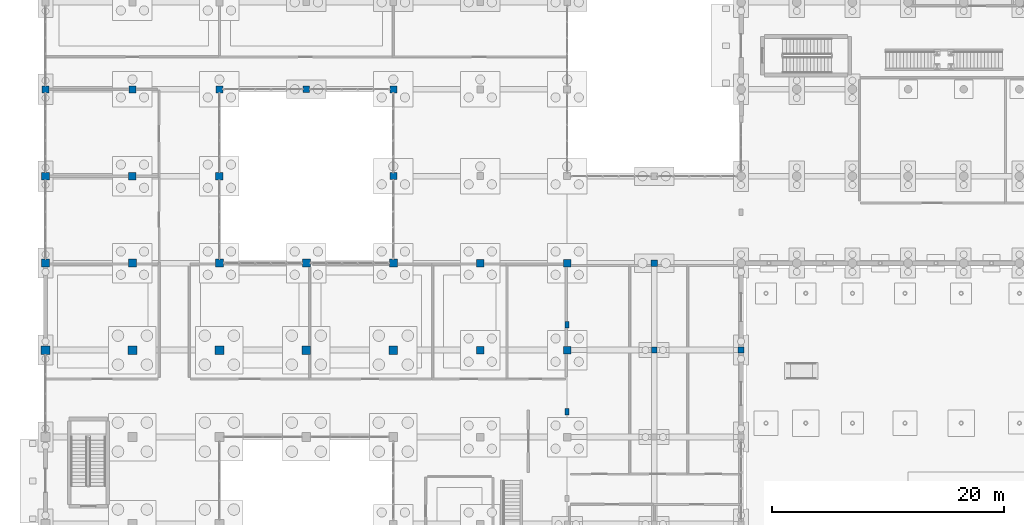
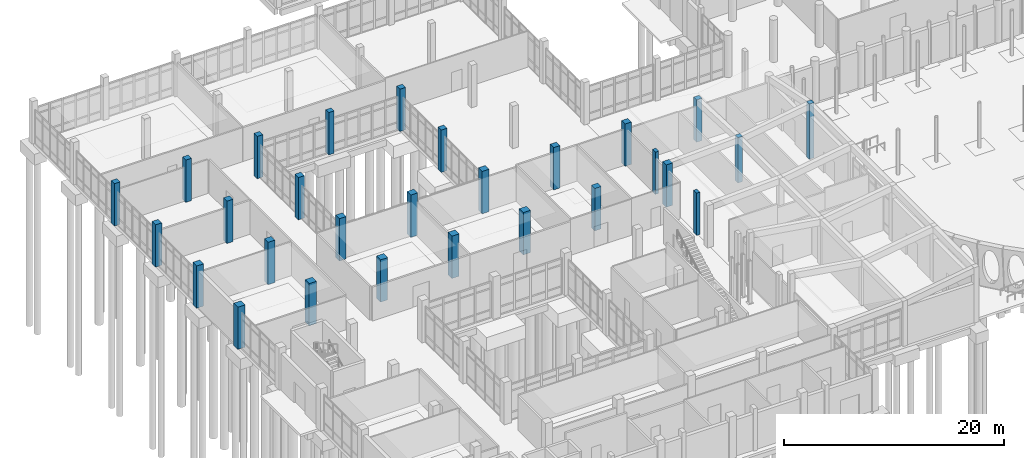
# One storey, part 9 of 173: 28 columns.
"""IFC4 building model written with IfcOpenShell, lengths in metres."""

from ifc_helpers import new_model, si_unit, direction, frame, origin, origin_2d, place, context, subcontext, project, spatial, rectangle, extrude, material, material_profile, profile_set, type_object, element, save


model = new_model("IFC4")

# Units and contexts
model_context = context("Model", 3, precision=1e-05, world=origin(), true_north=direction((0.0, 1.0)))
body_context = subcontext(model_context, "Body", "Model", "MODEL_VIEW")
ifc_project = project(units=[si_unit("LENGTHUNIT", "METRE"), si_unit("AREAUNIT", "SQUARE_METRE"), si_unit("VOLUMEUNIT", "CUBIC_METRE"), si_unit("PLANEANGLEUNIT", "RADIAN"), si_unit("MASSUNIT", "GRAM", prefix="KILO")], contexts=[model_context])

# Site, building, storey
site_placement = place(None, origin())
site = spatial("IfcSite", under=ifc_project, at=site_placement, CompositionType="ELEMENT")
building_placement = place(site_placement, origin())
building = spatial("IfcBuilding", under=site, at=building_placement, Name="Mawjan Specialist Oncology Clinic", CompositionType="ELEMENT")
storey_placement = place(building_placement, origin())
storey = spatial("IfcBuildingStorey", under=building, at=storey_placement, Name="L00", CompositionType="ELEMENT", Elevation=0.0)

# Columns
ifc_material_1 = material(Name="Concrete C45/55", Category="concrete")
ifc_material_profile_1 = material_profile(ifc_material_1, rectangle(XDim=0.5, YDim=0.5, at=origin_2d()), Name="RC COL 500x500", Category="concrete")
ifc_profile_set_1 = profile_set([ifc_material_profile_1], Name="Concrete C45/55")
column_type_1 = type_object("IfcColumnType", Name="C-500", PredefinedType="COLUMN", material=ifc_profile_set_1)
column_1_placement = place(storey_placement, frame((52.5, 38.300048828125, 0.0), z_axis=(0.0, 0.0, 1.0), x_axis=(1.0, 0.0, 0.0)))
element("IfcColumn", 1, at=column_1_placement, inside=storey, type_object=column_type_1, Name="L00 Column G-8-F", PredefinedType="COLUMN", context=body_context, shape_type="SweptSolid", body=[
    extrude(rectangle(XDim=0.5, YDim=0.5, at=origin_2d()), origin(), (0.0, 0.0, 1.0), 5.035888671875),
])
column_2_placement = place(storey_placement, frame((60.0, 38.300048828125, 0.0), z_axis=(0.0, 0.0, 1.0), x_axis=(1.0, 0.0, 0.0)))
element("IfcColumn", 2, at=column_2_placement, inside=storey, type_object=column_type_1, Name="L00 Column G-9-F", PredefinedType="COLUMN", context=body_context, shape_type="SweptSolid", body=[
    extrude(rectangle(XDim=0.5, YDim=0.5, at=origin_2d()), origin(), (0.0, 0.0, 1.0), 6.1376953125),
])
ifc_material_2 = material(Name="Concrete C45/55", Category="concrete")
ifc_material_profile_2 = material_profile(ifc_material_2, rectangle(XDim=0.550048828125, YDim=0.550048828125, at=origin_2d()), Name="RC COL 550x550", Category="concrete")
ifc_profile_set_2 = profile_set([ifc_material_profile_2], Name="Concrete C45/55")
column_type_2 = type_object("IfcColumnType", Name="C-550", PredefinedType="COLUMN", material=ifc_profile_set_2)
for number, where, z_axis, x_axis, name in (
    (3, (22.5, 60.800048828125, 0.0), (0.0, 0.0, 1.0), (1.0, 0.0, 0.0), "L00 Column G-4-J"),
    (4, (52.5, 45.800048828125, 0.0), (0.0, 0.0, 1.0), (1.0, 0.0, 0.0), "L00 Column G-8-G"),
):
    element("IfcColumn", number, at=place(storey_placement, frame(where, z_axis=z_axis, x_axis=x_axis)), inside=storey, type_object=column_type_2, Name=name, PredefinedType="COLUMN", context=body_context, shape_type="SweptSolid", body=[
        extrude(rectangle(XDim=0.550048828125, YDim=0.550048828125, at=origin_2d()), origin(), (0.0, 0.0, 1.0), 4.699951171875),
    ])
ifc_material_3 = material(Name="Concrete C45/55", Category="concrete")
ifc_material_profile_3 = material_profile(ifc_material_3, rectangle(XDim=0.60009765625, YDim=0.60009765625, at=origin_2d()), Name="RC COL 600x600", Category="concrete")
ifc_profile_set_3 = profile_set([ifc_material_profile_3], Name="Concrete C45/55")
column_type_3 = type_object("IfcColumnType", Name="C-600", PredefinedType="COLUMN", material=ifc_profile_set_3)
for number, where, z_axis, x_axis, name in (
    (5, (0.0, 60.800048828125, 0.0), (0.0, 0.0, 1.0), (1.0, 0.0, 0.0), "L00 Column G-1-J"),
    (6, (7.5, 60.800048828125, 0.0), (0.0, 0.0, 1.0), (1.0, 0.0, 0.0), "L00 Column G-2-J"),
    (7, (15.0, 60.800048828125, 0.0), (0.0, 0.0, 1.0), (1.0, 0.0, 0.0), "L00 Column G-3-J"),
    (8, (30.0, 53.300048828125, 0.0), (0.0, 0.0, 1.0), (1.0, 0.0, 0.0), "L00 Column G-5-H"),
    (9, (30.0, 60.800048828125, 0.0), (0.0, 0.0, 1.0), (1.0, 0.0, 0.0), "L00 Column G-5-J"),
):
    element("IfcColumn", number, at=place(storey_placement, frame(where, z_axis=z_axis, x_axis=x_axis)), inside=storey, type_object=column_type_3, Name=name, PredefinedType="COLUMN", context=body_context, shape_type="SweptSolid", body=[
        extrude(rectangle(XDim=0.60009765625, YDim=0.60009765625, at=origin_2d()), origin(), (0.0, 0.0, 1.0), 4.699951171875),
    ])
ifc_material_4 = material(Name="Concrete C45/55", Category="concrete")
ifc_material_profile_4 = material_profile(ifc_material_4, rectangle(XDim=0.64990234375, YDim=0.64990234375, at=origin_2d()), Name="RC COL 650x650", Category="concrete")
ifc_profile_set_4 = profile_set([ifc_material_profile_4], Name="Concrete C45/55")
column_type_4 = type_object("IfcColumnType", Name="C-650", PredefinedType="COLUMN", material=ifc_profile_set_4)
for number, where, z_axis, x_axis, name in (
    (10, (0.0, 53.300048828125, 0.0), (0.0, 0.0, 1.0), (1.0, 0.0, 0.0), "L00 Column G-1-H"),
    (11, (7.5, 53.300048828125, 0.0), (0.0, 0.0, 1.0), (1.0, 0.0, 0.0), "L00 Column G-2-H"),
    (12, (15.0, 53.300048828125, 0.0), (0.0, 0.0, 1.0), (1.0, 0.0, 0.0), "L00 Column G-3-H"),
    (13, (37.5, 38.300048828125, 0.0), (0.0, 0.0, 1.0), (1.0, 0.0, 0.0), "L00 Column G-6-F"),
    (14, (37.5, 45.800048828125, 0.0), (0.0, 0.0, 1.0), (1.0, 0.0, 0.0), "L00 Column G-6-G"),
    (15, (45.0, 38.300048828125, 0.0), (0.0, 0.0, 1.0), (1.0, 0.0, 0.0), "L00 Column G-7-F"),
    (16, (45.0, 45.800048828125, 0.0), (0.0, 0.0, 1.0), (1.0, 0.0, 0.0), "L00 Column G-7-G"),
):
    element("IfcColumn", number, at=place(storey_placement, frame(where, z_axis=z_axis, x_axis=x_axis)), inside=storey, type_object=column_type_4, Name=name, PredefinedType="COLUMN", context=body_context, shape_type="SweptSolid", body=[
        extrude(rectangle(XDim=0.64990234375, YDim=0.64990234375, at=origin_2d()), origin(), (0.0, 0.0, 1.0), 4.699951171875),
    ])
ifc_material_5 = material(Name="Concrete C45/55", Category="concrete")
ifc_material_profile_5 = material_profile(ifc_material_5, rectangle(XDim=0.699951171875, YDim=0.699951171875, at=origin_2d()), Name="RC COL 700x700", Category="concrete")
ifc_profile_set_5 = profile_set([ifc_material_profile_5], Name="Concrete C45/55")
column_type_5 = type_object("IfcColumnType", Name="C-700", PredefinedType="COLUMN", material=ifc_profile_set_5)
for number, where, z_axis, x_axis, name in (
    (17, (0.0, 45.800048828125, 0.0), (0.0, 0.0, 1.0), (1.0, 0.0, 0.0), "L00 Column G-1-G"),
    (18, (7.5, 45.800048828125, 0.0), (0.0, 0.0, 1.0), (1.0, 0.0, 0.0), "L00 Column G-2-G"),
    (19, (15.0, 45.800048828125, 0.0), (0.0, 0.0, 1.0), (1.0, 0.0, 0.0), "L00 Column G-3-G"),
    (20, (22.5, 45.800048828125, 0.0), (0.0, 0.0, 1.0), (1.0, 0.0, 0.0), "L00 Column G-4-G"),
    (21, (30.0, 45.800048828125, 0.0), (0.0, 0.0, 1.0), (1.0, 0.0, 0.0), "L00 Column G-5-G"),
):
    element("IfcColumn", number, at=place(storey_placement, frame(where, z_axis=z_axis, x_axis=x_axis)), inside=storey, type_object=column_type_5, Name=name, PredefinedType="COLUMN", context=body_context, shape_type="SweptSolid", body=[
        extrude(rectangle(XDim=0.699951171875, YDim=0.699951171875, at=origin_2d()), origin(), (0.0, 0.0, 1.0), 4.699951171875),
    ])
ifc_material_6 = material(Name="Concrete C45/55", Category="concrete")
ifc_material_profile_6 = material_profile(ifc_material_6, rectangle(XDim=0.75, YDim=0.75, at=origin_2d()), Name="RC COL 750x750", Category="concrete")
ifc_profile_set_6 = profile_set([ifc_material_profile_6], Name="Concrete C45/55")
column_type_6 = type_object("IfcColumnType", Name="C-750", PredefinedType="COLUMN", material=ifc_profile_set_6)
for number, where, z_axis, x_axis, name in (
    (22, (0.0, 38.300048828125, 0.0), (0.0, 0.0, 1.0), (1.0, 0.0, 0.0), "L00 Column G-1-F"),
    (23, (7.5, 38.300048828125, 0.0), (0.0, 0.0, 1.0), (1.0, 0.0, 0.0), "L00 Column G-2-F"),
    (24, (15.0, 38.300048828125, 0.0), (0.0, 0.0, 1.0), (1.0, 0.0, 0.0), "L00 Column G-3-F"),
    (25, (22.5, 38.300048828125, 0.0), (0.0, 0.0, 1.0), (1.0, 0.0, 0.0), "L00 Column G-4-F"),
    (26, (30.0, 38.300048828125, 0.0), (0.0, 0.0, 1.0), (1.0, 0.0, 0.0), "L00 Column G-5-F"),
):
    element("IfcColumn", number, at=place(storey_placement, frame(where, z_axis=z_axis, x_axis=x_axis)), inside=storey, type_object=column_type_6, Name=name, PredefinedType="COLUMN", context=body_context, shape_type="SweptSolid", body=[
        extrude(rectangle(XDim=0.75, YDim=0.75, at=origin_2d()), origin(), (0.0, 0.0, 1.0), 4.699951171875),
    ])
ifc_material_7 = material(Name="Concrete C45/55", Category="concrete")
ifc_material_profile_7 = material_profile(ifc_material_7, rectangle(XDim=0.35009765625, YDim=0.550048828125, at=origin_2d()), Name="RC PIL 350x550", Category="concrete")
ifc_profile_set_7 = profile_set([ifc_material_profile_7], Name="Concrete C45/55")
column_type_7 = type_object("IfcColumnType", Name="PIL-350", PredefinedType="PILASTER", material=ifc_profile_set_7)
for number, where, z_axis, x_axis, name in (
    (27, (45.0, 33.0, 0.0), (0.0, 0.0, 1.0), (1.0, 0.0, 0.0), "L00 Architectural Structural Pilaster 8"),
    (28, (45.0, 40.5, 0.0), (0.0, 0.0, 1.0), (1.0, 0.0, 0.0), "L00 Architectural Structural Pilaster 9"),
):
    element("IfcColumn", number, at=place(storey_placement, frame(where, z_axis=z_axis, x_axis=x_axis)), inside=storey, type_object=column_type_7, Name=name, PredefinedType="PILASTER", context=body_context, shape_type="SweptSolid", body=[
        extrude(rectangle(XDim=0.35009765625, YDim=0.550048828125, at=origin_2d()), origin(), (0.0, 0.0, 1.0), 4.699951171875),
    ])

save(model, "model.ifc")
